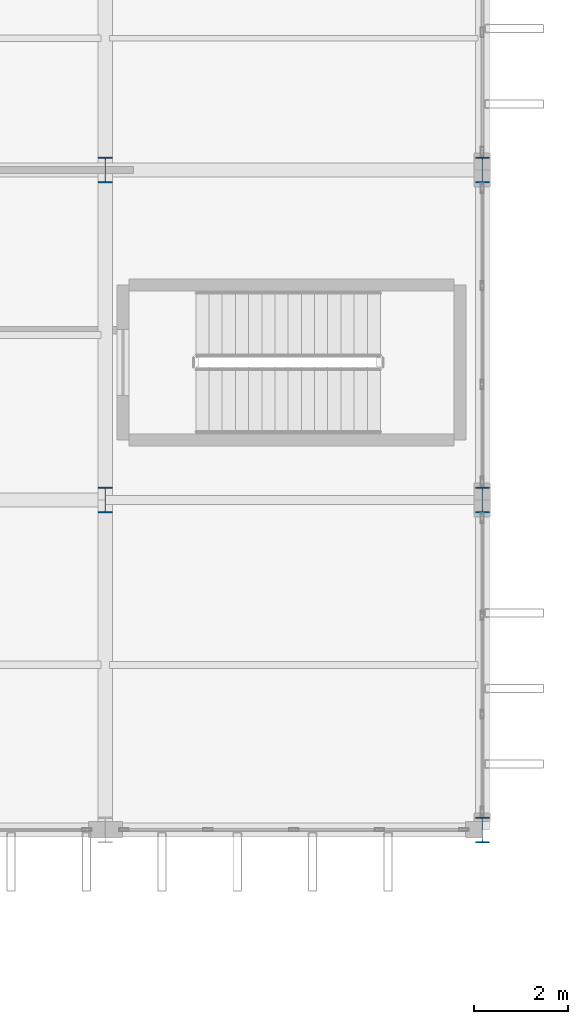
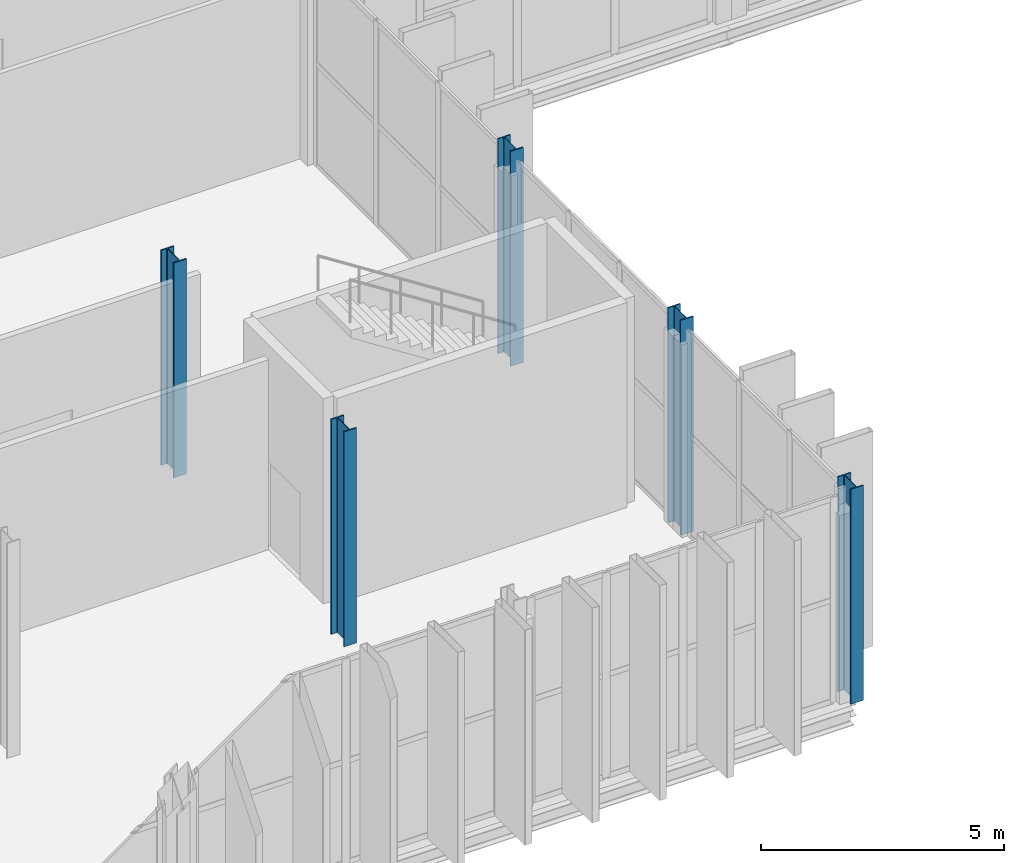
# One storey, part 7 of 147: 5 columns.
"""IFC4 building model written with IfcOpenShell, lengths in metres."""

from ifc_helpers import new_model, si_unit, direction, frame, origin, origin_2d, place, context, subcontext, project, spatial, i_section, extrude, material, material_profile, profile_set, type_object, element, save


model = new_model("IFC4")

# Units and contexts
model_context = context("Model", 3, precision=1e-05, world=origin(), true_north=direction((0.0, 1.0)))
body_context = subcontext(model_context, "Body", "Model", "MODEL_VIEW")
ifc_project = project(units=[si_unit("LENGTHUNIT", "METRE"), si_unit("AREAUNIT", "SQUARE_METRE"), si_unit("VOLUMEUNIT", "CUBIC_METRE"), si_unit("PLANEANGLEUNIT", "RADIAN"), si_unit("MASSUNIT", "GRAM", prefix="KILO")], contexts=[model_context])

# Site, building, storey
site_placement = place(None, origin())
site = spatial("IfcSite", under=ifc_project, at=site_placement, CompositionType="ELEMENT")
building_placement = place(site_placement, origin())
building = spatial("IfcBuilding", under=site, at=building_placement, Name="Vekula Escarpment Museum", CompositionType="ELEMENT")
storey_placement = place(building_placement, frame((0.0, 0.0, 7.800048828125)))
storey = spatial("IfcBuildingStorey", under=building, at=storey_placement, Name="L02", CompositionType="ELEMENT", Elevation=7.800048828125)

# Columns
ifc_material = material(Name="Steel S355", Category="steel")
ifc_material_profile = material_profile(ifc_material, i_section(OverallWidth=0.300048828125, OverallDepth=0.550048828125, WebThickness=0.014892578125, FlangeThickness=0.029052734375, FilletRadius=0.027099609375, at=origin_2d()), Name="HEB 550")
ifc_profile_set = profile_set([ifc_material_profile], Name="Steel S355")
column_type = type_object("IfcColumnType", Name="COL-S-HEB550", PredefinedType="COLUMN", material=ifc_profile_set)
for number, where, z_axis, x_axis, name in (
    (1, (118.0, 52.60009765625, 0.0), (0.0, 0.0, 1.0), (1.0, 0.0, 0.0), "Column L02 (118.0,52.6)"),
    (2, (118.0, 59.60009765625, 0.0), (0.0, 0.0, 1.0), (1.0, 0.0, 0.0), "Column L02 (118.0,59.6)"),
    (3, (126.0, 45.60009765625, 0.0), (0.0, 0.0, 1.0), (1.0, 0.0, 0.0), "Column L02 (126.0,45.6)"),
    (4, (126.0, 52.60009765625, 0.0), (0.0, 0.0, 1.0), (1.0, 0.0, 0.0), "Column L02 (126.0,52.6)"),
    (5, (126.0, 59.60009765625, 0.0), (0.0, 0.0, 1.0), (1.0, 0.0, 0.0), "Column L02 (126.0,59.6)"),
):
    element("IfcColumn", number, at=place(storey_placement, frame(where, z_axis=z_axis, x_axis=x_axis)), inside=storey, type_object=column_type, Name=name, PredefinedType="COLUMN", context=body_context, shape_type="SweptSolid", body=[
        extrude(i_section(OverallWidth=0.300048828125, OverallDepth=0.550048828125, WebThickness=0.014892578125, FlangeThickness=0.029052734375, FilletRadius=0.027099609375, at=origin_2d()), origin(), (0.0, 0.0, 1.0), 5.39990234375),
    ])

save(model, "model.ifc")
